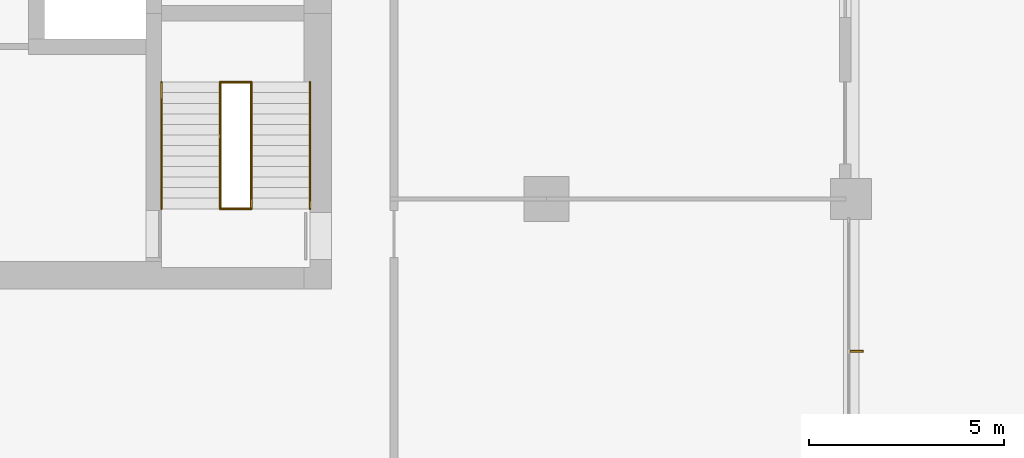
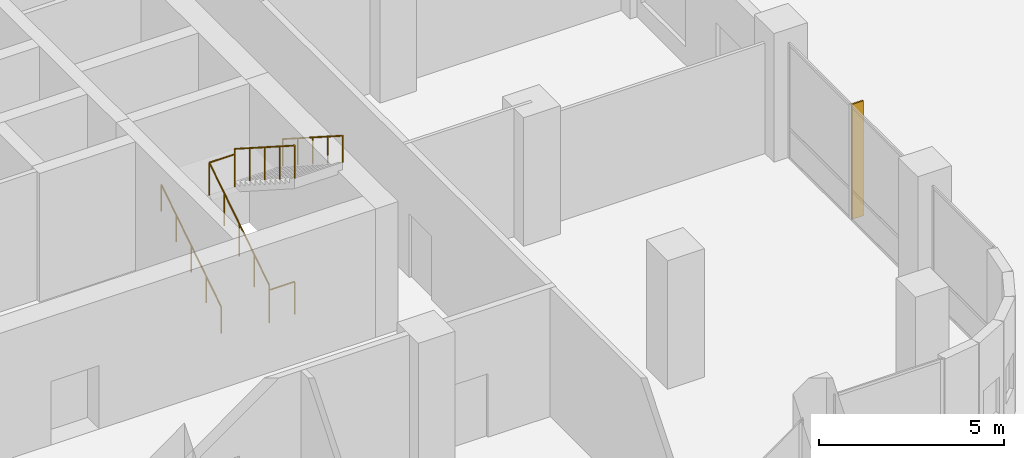
# One storey, part 22 of 31: 6 railings, 1 shading device, 1 element without a shape of its own.
"""IFC4 building model written with IfcOpenShell, lengths in metres."""

from ifc_helpers import new_model, si_unit, direction, frame, origin, origin_2d, place, context, subcontext, project, spatial, rectangle, circle, extrude, material, layer, layer_set, type_object, element, aggregate, save


model = new_model("IFC4")

# Units and contexts
model_context = context("Model", 3, precision=1e-05, world=origin(), true_north=direction((0.0, 1.0)))
body_context = subcontext(model_context, "Body", "Model", "MODEL_VIEW")
ifc_project = project(units=[si_unit("LENGTHUNIT", "METRE"), si_unit("AREAUNIT", "SQUARE_METRE"), si_unit("VOLUMEUNIT", "CUBIC_METRE"), si_unit("PLANEANGLEUNIT", "RADIAN"), si_unit("MASSUNIT", "GRAM", prefix="KILO")], contexts=[model_context])

# Site, building, storey
site_placement = place(None, origin())
site = spatial("IfcSite", under=ifc_project, at=site_placement, CompositionType="ELEMENT")
building_placement = place(site_placement, origin())
building = spatial("IfcBuilding", under=site, at=building_placement, Name="Ludao Terraces", CompositionType="ELEMENT")
storey_placement = place(building_placement, frame((0.0, 0.0, 15.0)))
storey = spatial("IfcBuildingStorey", under=building, at=storey_placement, Name="L03", CompositionType="ELEMENT", Elevation=15.0)

# Shading device
ifc_material_1 = material(Name="Aluminium 6063-T6", Category="aluminium")
ifc_layer = layer(ifc_material_1, 0.050048828125)
ifc_layer_set = layer_set([ifc_layer], Name="ENV Sun fin 50x350")
shading_device_type = type_object("IfcShadingDeviceType", Name="ENV Sun fin 50x350", PredefinedType="USERDEFINED", material=ifc_layer_set)
shading_device_placement = place(storey_placement, frame((108.5400390625, 53.300048828125, 0.0), z_axis=(0.0, 0.0, 1.0), x_axis=(1.0, 0.0, 0.0)))
element("IfcShadingDevice", 1, at=shading_device_placement, inside=storey, type_object=shading_device_type, Name="FN-CW-L03-E2-1", ObjectType="FIN", PredefinedType="USERDEFINED", context=body_context, shape_type="SweptSolid", body=[
    extrude(rectangle(XDim=0.35009765625, YDim=0.050048828125, at=origin_2d()), origin(), (0.0, 0.0, 1.0), 3.800048828125),
])

# Stair, railings
ifc_material_2 = material(Name="Concrete C40", Category="concrete")
stair_type = type_object("IfcStairType", Name="INT Stair", PredefinedType="HALF_TURN_STAIR", material=ifc_material_2)
stair_placement = place(storey_placement, origin())
stair = element("IfcStair", 2, at=stair_placement, inside=storey, type_object=stair_type, Name="EXIT STAIR 3", PredefinedType="HALF_TURN_STAIR")
ifc_material_3 = material(Name="Stainless steel 304", Category="steel")
railing_type_1 = type_object("IfcRailingType", Name="INT Stair guard 1100", PredefinedType="GUARDRAIL", material=ifc_material_3)
railing_1_placement = place(storey_placement, frame((92.25, 56.949951171875, 0.173095703125)))
railing_1 = element("IfcRailing", 3, at=railing_1_placement, type_object=railing_type_1, Name="ST-L03-S3-R1G", PredefinedType="GUARDRAIL", context=body_context, shape_type="SweptSolid", body=[
    extrude(circle(Radius=0.02392578125, at=origin_2d()), frame((0.0, 0.0, 1.076171875), z_axis=(0.0, 0.841880617004, 0.539663808971), x_axis=(-1.0, 0.0, 0.0)), (0.0, 0.0, 1.0), 3.8486328125),
    extrude(circle(Radius=0.02099609375, at=origin_2d()), origin(), (0.0, 0.0, 1.0), 1.052001953125),
    extrude(circle(Radius=0.02099609375, at=origin_2d()), frame((0.0, 0.81005859375, 0.519287109375)), (0.0, 0.0, 1.0), 1.052001953125),
    extrude(circle(Radius=0.02099609375, at=origin_2d()), frame((0.0, 1.6201171875, 1.03857421875)), (0.0, 0.0, 1.0), 1.052001953125),
    extrude(circle(Radius=0.02099609375, at=origin_2d()), frame((0.0, 2.429931640625, 1.5576171875)), (0.0, 0.0, 1.0), 1.052001953125),
    extrude(circle(Radius=0.02099609375, at=origin_2d()), frame((0.0, 3.239990234375, 2.076904296875)), (0.0, 0.0, 1.0), 1.052001953125),
])
railing_2_placement = place(storey_placement, frame((93.050048828125, 60.18994140625, 2.423095703125)))
railing_2 = element("IfcRailing", 4, at=railing_2_placement, type_object=railing_type_1, Name="ST-L03-S3-R2G", PredefinedType="GUARDRAIL", context=body_context, shape_type="SweptSolid", body=[
    extrude(circle(Radius=0.02392578125, at=origin_2d()), frame((0.0, 0.0, 1.076171875), z_axis=(0.0, -0.841880617004, 0.539663808971), x_axis=(1.0, 0.0, 0.0)), (0.0, 0.0, 1.0), 3.8486328125),
    extrude(circle(Radius=0.02099609375, at=origin_2d()), origin(), (0.0, 0.0, 1.0), 1.052001953125),
    extrude(circle(Radius=0.02099609375, at=origin_2d()), frame((0.0, -0.81005859375, 0.519287109375)), (0.0, 0.0, 1.0), 1.052001953125),
    extrude(circle(Radius=0.02099609375, at=origin_2d()), frame((0.0, -1.6201171875, 1.03857421875)), (0.0, 0.0, 1.0), 1.052001953125),
    extrude(circle(Radius=0.02099609375, at=origin_2d()), frame((0.0, -2.429931640625, 1.5576171875)), (0.0, 0.0, 1.0), 1.052001953125),
    extrude(circle(Radius=0.02099609375, at=origin_2d()), frame((0.0, -3.239990234375, 2.076904296875)), (0.0, 0.0, 1.0), 1.052001953125),
])
railing_3_placement = place(storey_placement, frame((92.25, 60.18994140625, 2.25)))
railing_3 = element("IfcRailing", 5, at=railing_3_placement, type_object=railing_type_1, Name="ST-L03-S3-E1G", PredefinedType="GUARDRAIL", context=body_context, shape_type="SweptSolid", body=[
    extrude(circle(Radius=0.02392578125, at=origin_2d()), frame((0.0, 0.0, 1.076171875), z_axis=(1.0, 0.0, 0.0), x_axis=(0.0, 1.0, 0.0)), (0.0, 0.0, 1.0), 0.800048828125),
    extrude(circle(Radius=0.02099609375, at=origin_2d()), origin(), (0.0, 0.0, 1.0), 1.052001953125),
    extrude(circle(Radius=0.02099609375, at=origin_2d()), frame((0.800048828125, 0.0, 0.0)), (0.0, 0.0, 1.0), 1.052001953125),
])
railing_4_placement = place(storey_placement, frame((92.25, 56.949951171875, 0.0)))
railing_4 = element("IfcRailing", 6, at=railing_4_placement, type_object=railing_type_1, Name="ST-L03-S3-E2G", PredefinedType="GUARDRAIL", context=body_context, shape_type="SweptSolid", body=[
    extrude(circle(Radius=0.02392578125, at=origin_2d()), frame((0.0, 0.0, 1.076171875), z_axis=(1.0, 0.0, 0.0), x_axis=(0.0, 1.0, 0.0)), (0.0, 0.0, 1.0), 0.800048828125),
    extrude(circle(Radius=0.02099609375, at=origin_2d()), origin(), (0.0, 0.0, 1.0), 1.052001953125),
    extrude(circle(Radius=0.02099609375, at=origin_2d()), frame((0.800048828125, 0.0, 0.0)), (0.0, 0.0, 1.0), 1.052001953125),
])
railing_type_2 = type_object("IfcRailingType", Name="INT Stair handrail 900", PredefinedType="HANDRAIL", material=ifc_material_3)
railing_5_placement = place(storey_placement, frame((90.75, 56.949951171875, 0.173095703125)))
railing_5 = element("IfcRailing", 7, at=railing_5_placement, type_object=railing_type_2, Name="ST-L03-S3-R1H", PredefinedType="HANDRAIL", context=body_context, shape_type="SweptSolid", body=[
    extrude(circle(Radius=0.02392578125, at=origin_2d()), frame((0.0, 0.0, 0.8759765625), z_axis=(0.0, 0.841880617004, 0.539663808971), x_axis=(-1.0, 0.0, 0.0)), (0.0, 0.0, 1.0), 3.8486328125),
    extrude(circle(Radius=0.02099609375, at=origin_2d()), origin(), (0.0, 0.0, 1.0), 0.851806640625),
    extrude(circle(Radius=0.02099609375, at=origin_2d()), frame((0.0, 0.81005859375, 0.519287109375)), (0.0, 0.0, 1.0), 0.851806640625),
    extrude(circle(Radius=0.02099609375, at=origin_2d()), frame((0.0, 1.6201171875, 1.03857421875)), (0.0, 0.0, 1.0), 0.851806640625),
    extrude(circle(Radius=0.02099609375, at=origin_2d()), frame((0.0, 2.429931640625, 1.5576171875)), (0.0, 0.0, 1.0), 0.851806640625),
    extrude(circle(Radius=0.02099609375, at=origin_2d()), frame((0.0, 3.239990234375, 2.076904296875)), (0.0, 0.0, 1.0), 0.851806640625),
])
railing_6_placement = place(storey_placement, frame((94.550048828125, 60.18994140625, 2.423095703125)))
railing_6 = element("IfcRailing", 8, at=railing_6_placement, type_object=railing_type_2, Name="ST-L03-S3-R2H", PredefinedType="HANDRAIL", context=body_context, shape_type="SweptSolid", body=[
    extrude(circle(Radius=0.02392578125, at=origin_2d()), frame((0.0, 0.0, 0.8759765625), z_axis=(0.0, -0.841880617004, 0.539663808971), x_axis=(1.0, 0.0, 0.0)), (0.0, 0.0, 1.0), 3.8486328125),
    extrude(circle(Radius=0.02099609375, at=origin_2d()), origin(), (0.0, 0.0, 1.0), 0.851806640625),
    extrude(circle(Radius=0.02099609375, at=origin_2d()), frame((0.0, -0.81005859375, 0.519287109375)), (0.0, 0.0, 1.0), 0.851806640625),
    extrude(circle(Radius=0.02099609375, at=origin_2d()), frame((0.0, -1.6201171875, 1.03857421875)), (0.0, 0.0, 1.0), 0.851806640625),
    extrude(circle(Radius=0.02099609375, at=origin_2d()), frame((0.0, -2.429931640625, 1.5576171875)), (0.0, 0.0, 1.0), 0.851806640625),
    extrude(circle(Radius=0.02099609375, at=origin_2d()), frame((0.0, -3.239990234375, 2.076904296875)), (0.0, 0.0, 1.0), 0.851806640625),
])
aggregate(stair, [railing_1, railing_5, railing_2, railing_6, railing_3, railing_4])

save(model, "model.ifc")
